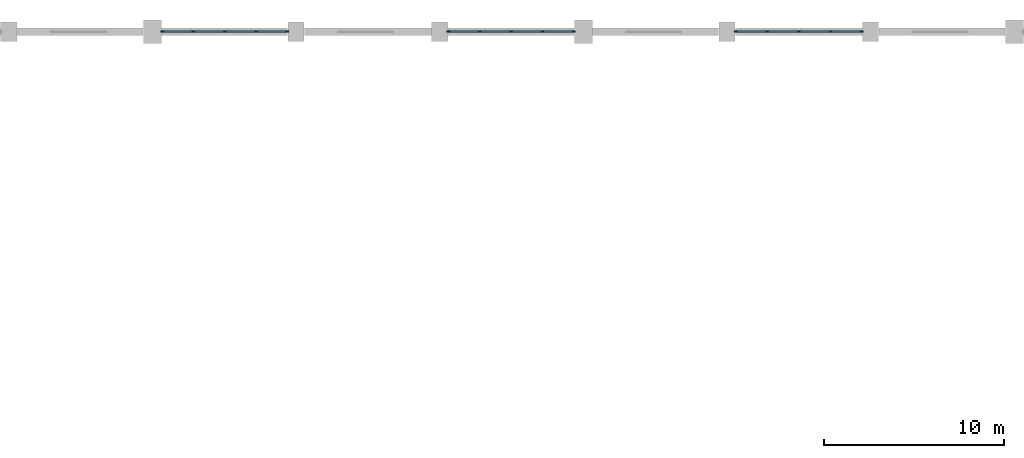
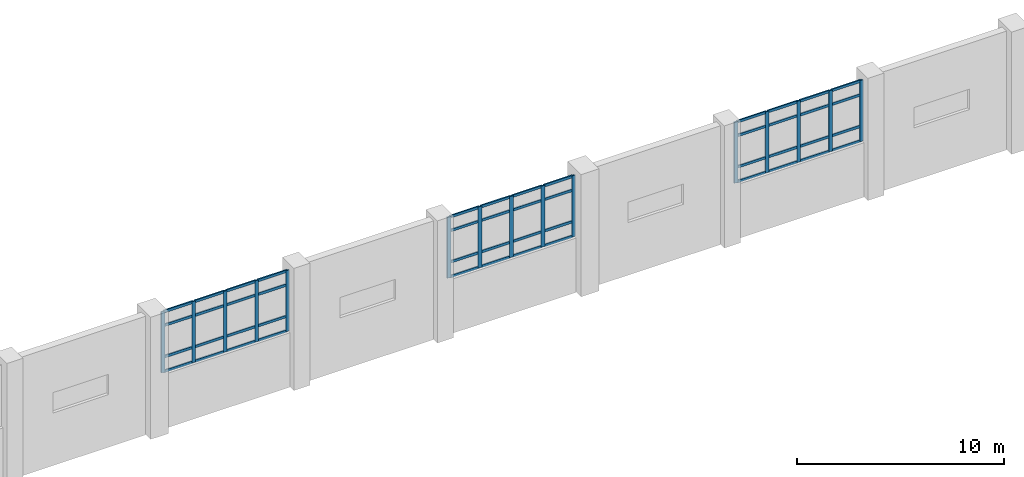
# One storey, part 35 of 84: 63 members, 3 elements without a shape of their own.
"""IFC4 building model written with IfcOpenShell, lengths in metres."""

from ifc_helpers import new_model, si_unit, direction, frame, origin, origin_2d, place, context, subcontext, project, spatial, rectangle, extrude, material, layer, layer_set, material_profile, profile_set, type_object, element, aggregate, save


model = new_model("IFC4")

# Units and contexts
model_context = context("Model", 3, precision=1e-05, world=origin(), true_north=direction((0.0, 1.0)))
body_context = subcontext(model_context, "Body", "Model", "MODEL_VIEW")
ifc_project = project(units=[si_unit("LENGTHUNIT", "METRE"), si_unit("AREAUNIT", "SQUARE_METRE"), si_unit("VOLUMEUNIT", "CUBIC_METRE"), si_unit("PLANEANGLEUNIT", "RADIAN"), si_unit("MASSUNIT", "GRAM", prefix="KILO")], contexts=[model_context])

# Site, building, storey
site_placement = place(None, origin())
site = spatial("IfcSite", under=ifc_project, at=site_placement, CompositionType="ELEMENT")
building_placement = place(site_placement, origin())
building = spatial("IfcBuilding", under=site, at=building_placement, Name="Tlacozan Convention Centre", CompositionType="ELEMENT")
storey_placement = place(building_placement, frame((0.0, 0.0, 6.0)))
storey = spatial("IfcBuildingStorey", under=building, at=storey_placement, Name="L01", CompositionType="ELEMENT", Elevation=6.0)

# Curtain wall, members
ifc_material = material(Name="Dark Bronze Anodised Aluminium", Category="aluminium")
ifc_layer = layer(ifc_material, 0.199951171875)
ifc_layer_set = layer_set([ifc_layer], Name="Dark Bronze Anodised Aluminium")
curtain_wall_type = type_object("IfcCurtainWallType", Name="Exhibition Clerestory Curtain Wall CW10", PredefinedType="NOTDEFINED", material=ifc_layer_set)
curtain_wall_1_placement = place(storey_placement, origin())
curtain_wall_1 = element("IfcCurtainWall", 1, at=curtain_wall_1_placement, inside=storey, type_object=curtain_wall_type, Name="L01 CW-10 Run 4", PredefinedType="NOTDEFINED")
ifc_material_profile_1 = material_profile(ifc_material, rectangle(XDim=0.074951171875, YDim=0.199951171875, at=origin_2d()), Name="ALU 75x200")
ifc_profile_set_1 = profile_set([ifc_material_profile_1], Name="Dark Bronze Anodised Aluminium")
member_type_1 = type_object("IfcMemberType", Name="Curtain Wall Heavy Mullion 75x200", PredefinedType="MULLION", material=ifc_profile_set_1)
member_1_placement = place(storey_placement, frame((48.552490234375, 126.0, 3.199951171875), z_axis=(0.0, 0.0, 1.0), x_axis=(0.0, 1.0, 0.0)))
member_1 = element("IfcMember", 2, at=member_1_placement, type_object=member_type_1, Name="CW-10 mullion 1", PredefinedType="MULLION", context=body_context, shape_type="SweptSolid", body=[
    extrude(rectangle(XDim=0.074951171875, YDim=0.199951171875, at=origin_2d()), origin(), (0.0, 0.0, 1.0), 3.60009765625),
])
member_2_placement = place(storey_placement, frame((50.27001953125, 126.0, 3.199951171875), z_axis=(0.0, 0.0, 1.0), x_axis=(0.0, 1.0, 0.0)))
member_2 = element("IfcMember", 3, at=member_2_placement, type_object=member_type_1, Name="CW-10 mullion 2", PredefinedType="MULLION", context=body_context, shape_type="SweptSolid", body=[
    extrude(rectangle(XDim=0.074951171875, YDim=0.199951171875, at=origin_2d()), origin(), (0.0, 0.0, 1.0), 3.60009765625),
])
member_3_placement = place(storey_placement, frame((52.02490234375, 126.0, 3.199951171875), z_axis=(0.0, 0.0, 1.0), x_axis=(0.0, 1.0, 0.0)))
member_3 = element("IfcMember", 4, at=member_3_placement, type_object=member_type_1, Name="CW-10 mullion 3", PredefinedType="MULLION", context=body_context, shape_type="SweptSolid", body=[
    extrude(rectangle(XDim=0.074951171875, YDim=0.199951171875, at=origin_2d()), origin(), (0.0, 0.0, 1.0), 3.60009765625),
])
member_4_placement = place(storey_placement, frame((53.780029296875, 126.0, 3.199951171875), z_axis=(0.0, 0.0, 1.0), x_axis=(0.0, 1.0, 0.0)))
member_4 = element("IfcMember", 5, at=member_4_placement, type_object=member_type_1, Name="CW-10 mullion 4", PredefinedType="MULLION", context=body_context, shape_type="SweptSolid", body=[
    extrude(rectangle(XDim=0.074951171875, YDim=0.199951171875, at=origin_2d()), origin(), (0.0, 0.0, 1.0), 3.60009765625),
])
member_5_placement = place(storey_placement, frame((55.49755859375, 126.0, 3.199951171875), z_axis=(0.0, 0.0, 1.0), x_axis=(0.0, 1.0, 0.0)))
member_5 = element("IfcMember", 6, at=member_5_placement, type_object=member_type_1, Name="CW-10 mullion 5", PredefinedType="MULLION", context=body_context, shape_type="SweptSolid", body=[
    extrude(rectangle(XDim=0.074951171875, YDim=0.199951171875, at=origin_2d()), origin(), (0.0, 0.0, 1.0), 3.60009765625),
])

curtain_wall_2_placement = place(storey_placement, origin())
curtain_wall_2 = element("IfcCurtainWall", 7, at=curtain_wall_2_placement, inside=storey, type_object=curtain_wall_type, Name="L01 CW-10 Run 5", PredefinedType="NOTDEFINED")
member_6_placement = place(storey_placement, frame((64.50244140625, 126.0, 3.199951171875), z_axis=(0.0, 0.0, 1.0), x_axis=(0.0, 1.0, 0.0)))
member_6 = element("IfcMember", 8, at=member_6_placement, type_object=member_type_1, Name="CW-10 mullion 1", PredefinedType="MULLION", context=body_context, shape_type="SweptSolid", body=[
    extrude(rectangle(XDim=0.074951171875, YDim=0.199951171875, at=origin_2d()), origin(), (0.0, 0.0, 1.0), 3.60009765625),
])
member_7_placement = place(storey_placement, frame((66.219970703125, 126.0, 3.199951171875), z_axis=(0.0, 0.0, 1.0), x_axis=(0.0, 1.0, 0.0)))
member_7 = element("IfcMember", 9, at=member_7_placement, type_object=member_type_1, Name="CW-10 mullion 2", PredefinedType="MULLION", context=body_context, shape_type="SweptSolid", body=[
    extrude(rectangle(XDim=0.074951171875, YDim=0.199951171875, at=origin_2d()), origin(), (0.0, 0.0, 1.0), 3.60009765625),
])
member_8_placement = place(storey_placement, frame((67.97509765625, 126.0, 3.199951171875), z_axis=(0.0, 0.0, 1.0), x_axis=(0.0, 1.0, 0.0)))
member_8 = element("IfcMember", 10, at=member_8_placement, type_object=member_type_1, Name="CW-10 mullion 3", PredefinedType="MULLION", context=body_context, shape_type="SweptSolid", body=[
    extrude(rectangle(XDim=0.074951171875, YDim=0.199951171875, at=origin_2d()), origin(), (0.0, 0.0, 1.0), 3.60009765625),
])
member_9_placement = place(storey_placement, frame((69.72998046875, 126.0, 3.199951171875), z_axis=(0.0, 0.0, 1.0), x_axis=(0.0, 1.0, 0.0)))
member_9 = element("IfcMember", 11, at=member_9_placement, type_object=member_type_1, Name="CW-10 mullion 4", PredefinedType="MULLION", context=body_context, shape_type="SweptSolid", body=[
    extrude(rectangle(XDim=0.074951171875, YDim=0.199951171875, at=origin_2d()), origin(), (0.0, 0.0, 1.0), 3.60009765625),
])
member_10_placement = place(storey_placement, frame((71.447509765625, 126.0, 3.199951171875), z_axis=(0.0, 0.0, 1.0), x_axis=(0.0, 1.0, 0.0)))
member_10 = element("IfcMember", 12, at=member_10_placement, type_object=member_type_1, Name="CW-10 mullion 5", PredefinedType="MULLION", context=body_context, shape_type="SweptSolid", body=[
    extrude(rectangle(XDim=0.074951171875, YDim=0.199951171875, at=origin_2d()), origin(), (0.0, 0.0, 1.0), 3.60009765625),
])

curtain_wall_3_placement = place(storey_placement, origin())
curtain_wall_3 = element("IfcCurtainWall", 13, at=curtain_wall_3_placement, inside=storey, type_object=curtain_wall_type, Name="L01 CW-10 Run 6", PredefinedType="NOTDEFINED")
member_11_placement = place(storey_placement, frame((80.50244140625, 126.0, 3.199951171875), z_axis=(0.0, 0.0, 1.0), x_axis=(0.0, 1.0, 0.0)))
member_11 = element("IfcMember", 14, at=member_11_placement, type_object=member_type_1, Name="CW-10 mullion 1", PredefinedType="MULLION", context=body_context, shape_type="SweptSolid", body=[
    extrude(rectangle(XDim=0.074951171875, YDim=0.199951171875, at=origin_2d()), origin(), (0.0, 0.0, 1.0), 3.60009765625),
])
member_12_placement = place(storey_placement, frame((82.232421875, 126.0, 3.199951171875), z_axis=(0.0, 0.0, 1.0), x_axis=(0.0, 1.0, 0.0)))
member_12 = element("IfcMember", 15, at=member_12_placement, type_object=member_type_1, Name="CW-10 mullion 2", PredefinedType="MULLION", context=body_context, shape_type="SweptSolid", body=[
    extrude(rectangle(XDim=0.074951171875, YDim=0.199951171875, at=origin_2d()), origin(), (0.0, 0.0, 1.0), 3.60009765625),
])
member_13_placement = place(storey_placement, frame((84.0, 126.0, 3.199951171875), z_axis=(0.0, 0.0, 1.0), x_axis=(0.0, 1.0, 0.0)))
member_13 = element("IfcMember", 16, at=member_13_placement, type_object=member_type_1, Name="CW-10 mullion 3", PredefinedType="MULLION", context=body_context, shape_type="SweptSolid", body=[
    extrude(rectangle(XDim=0.074951171875, YDim=0.199951171875, at=origin_2d()), origin(), (0.0, 0.0, 1.0), 3.60009765625),
])
member_14_placement = place(storey_placement, frame((85.767578125, 126.0, 3.199951171875), z_axis=(0.0, 0.0, 1.0), x_axis=(0.0, 1.0, 0.0)))
member_14 = element("IfcMember", 17, at=member_14_placement, type_object=member_type_1, Name="CW-10 mullion 4", PredefinedType="MULLION", context=body_context, shape_type="SweptSolid", body=[
    extrude(rectangle(XDim=0.074951171875, YDim=0.199951171875, at=origin_2d()), origin(), (0.0, 0.0, 1.0), 3.60009765625),
])
member_15_placement = place(storey_placement, frame((87.49755859375, 126.0, 3.199951171875), z_axis=(0.0, 0.0, 1.0), x_axis=(0.0, 1.0, 0.0)))
member_15 = element("IfcMember", 18, at=member_15_placement, type_object=member_type_1, Name="CW-10 mullion 5", PredefinedType="MULLION", context=body_context, shape_type="SweptSolid", body=[
    extrude(rectangle(XDim=0.074951171875, YDim=0.199951171875, at=origin_2d()), origin(), (0.0, 0.0, 1.0), 3.60009765625),
])

# Member
ifc_material_profile_2 = material_profile(ifc_material, rectangle(XDim=0.074951171875, YDim=0.14990234375, at=origin_2d()), Name="ALU 75x150")
ifc_profile_set_2 = profile_set([ifc_material_profile_2], Name="Dark Bronze Anodised Aluminium")
member_type_2 = type_object("IfcMemberType", Name="Curtain Wall Heavy Transom 75x150", PredefinedType="USERDEFINED", material=ifc_profile_set_2)
member_16_placement = place(storey_placement, frame((48.590087890625, 126.0, 3.237548828125), z_axis=(1.0, 0.0, 0.0), x_axis=(0.0, 1.0, 0.0)))
member_16 = element("IfcMember", 19, at=member_16_placement, type_object=member_type_2, Name="CW-10 transom 1.1", ObjectType="TRANSOM", PredefinedType="USERDEFINED", context=body_context, shape_type="SweptSolid", body=[
    extrude(rectangle(XDim=0.074951171875, YDim=0.14990234375, at=origin_2d()), origin(), (0.0, 0.0, 1.0), 1.642333984375),
])

member_17_placement = place(storey_placement, frame((48.590087890625, 126.0, 4.10009765625), z_axis=(1.0, 0.0, 0.0), x_axis=(0.0, 1.0, 0.0)))
member_17 = element("IfcMember", 20, at=member_17_placement, type_object=member_type_2, Name="CW-10 transom 1.2", ObjectType="TRANSOM", PredefinedType="USERDEFINED", context=body_context, shape_type="SweptSolid", body=[
    extrude(rectangle(XDim=0.074951171875, YDim=0.14990234375, at=origin_2d()), origin(), (0.0, 0.0, 1.0), 1.642333984375),
])

member_18_placement = place(storey_placement, frame((48.590087890625, 126.0, 5.949951171875), z_axis=(1.0, 0.0, 0.0), x_axis=(0.0, 1.0, 0.0)))
member_18 = element("IfcMember", 21, at=member_18_placement, type_object=member_type_2, Name="CW-10 transom 1.3", ObjectType="TRANSOM", PredefinedType="USERDEFINED", context=body_context, shape_type="SweptSolid", body=[
    extrude(rectangle(XDim=0.074951171875, YDim=0.14990234375, at=origin_2d()), origin(), (0.0, 0.0, 1.0), 1.642333984375),
])

member_19_placement = place(storey_placement, frame((48.590087890625, 126.0, 6.762451171875), z_axis=(1.0, 0.0, 0.0), x_axis=(0.0, 1.0, 0.0)))
member_19 = element("IfcMember", 22, at=member_19_placement, type_object=member_type_2, Name="CW-10 transom 1.4", ObjectType="TRANSOM", PredefinedType="USERDEFINED", context=body_context, shape_type="SweptSolid", body=[
    extrude(rectangle(XDim=0.074951171875, YDim=0.14990234375, at=origin_2d()), origin(), (0.0, 0.0, 1.0), 1.642333984375),
])

member_20_placement = place(storey_placement, frame((50.3076171875, 126.0, 3.237548828125), z_axis=(1.0, 0.0, 0.0), x_axis=(0.0, 1.0, 0.0)))
member_20 = element("IfcMember", 23, at=member_20_placement, type_object=member_type_2, Name="CW-10 transom 2.1", ObjectType="TRANSOM", PredefinedType="USERDEFINED", context=body_context, shape_type="SweptSolid", body=[
    extrude(rectangle(XDim=0.074951171875, YDim=0.14990234375, at=origin_2d()), origin(), (0.0, 0.0, 1.0), 1.679931640625),
])

member_21_placement = place(storey_placement, frame((50.3076171875, 126.0, 4.10009765625), z_axis=(1.0, 0.0, 0.0), x_axis=(0.0, 1.0, 0.0)))
member_21 = element("IfcMember", 24, at=member_21_placement, type_object=member_type_2, Name="CW-10 transom 2.2", ObjectType="TRANSOM", PredefinedType="USERDEFINED", context=body_context, shape_type="SweptSolid", body=[
    extrude(rectangle(XDim=0.074951171875, YDim=0.14990234375, at=origin_2d()), origin(), (0.0, 0.0, 1.0), 1.679931640625),
])

member_22_placement = place(storey_placement, frame((50.3076171875, 126.0, 5.949951171875), z_axis=(1.0, 0.0, 0.0), x_axis=(0.0, 1.0, 0.0)))
member_22 = element("IfcMember", 25, at=member_22_placement, type_object=member_type_2, Name="CW-10 transom 2.3", ObjectType="TRANSOM", PredefinedType="USERDEFINED", context=body_context, shape_type="SweptSolid", body=[
    extrude(rectangle(XDim=0.074951171875, YDim=0.14990234375, at=origin_2d()), origin(), (0.0, 0.0, 1.0), 1.679931640625),
])

member_23_placement = place(storey_placement, frame((50.3076171875, 126.0, 6.762451171875), z_axis=(1.0, 0.0, 0.0), x_axis=(0.0, 1.0, 0.0)))
member_23 = element("IfcMember", 26, at=member_23_placement, type_object=member_type_2, Name="CW-10 transom 2.4", ObjectType="TRANSOM", PredefinedType="USERDEFINED", context=body_context, shape_type="SweptSolid", body=[
    extrude(rectangle(XDim=0.074951171875, YDim=0.14990234375, at=origin_2d()), origin(), (0.0, 0.0, 1.0), 1.679931640625),
])

member_24_placement = place(storey_placement, frame((52.0625, 126.0, 3.237548828125), z_axis=(1.0, 0.0, 0.0), x_axis=(0.0, 1.0, 0.0)))
member_24 = element("IfcMember", 27, at=member_24_placement, type_object=member_type_2, Name="CW-10 transom 3.1", ObjectType="TRANSOM", PredefinedType="USERDEFINED", context=body_context, shape_type="SweptSolid", body=[
    extrude(rectangle(XDim=0.074951171875, YDim=0.14990234375, at=origin_2d()), origin(), (0.0, 0.0, 1.0), 1.679931640625),
])

member_25_placement = place(storey_placement, frame((52.0625, 126.0, 4.10009765625), z_axis=(1.0, 0.0, 0.0), x_axis=(0.0, 1.0, 0.0)))
member_25 = element("IfcMember", 28, at=member_25_placement, type_object=member_type_2, Name="CW-10 transom 3.2", ObjectType="TRANSOM", PredefinedType="USERDEFINED", context=body_context, shape_type="SweptSolid", body=[
    extrude(rectangle(XDim=0.074951171875, YDim=0.14990234375, at=origin_2d()), origin(), (0.0, 0.0, 1.0), 1.679931640625),
])

member_26_placement = place(storey_placement, frame((52.0625, 126.0, 5.949951171875), z_axis=(1.0, 0.0, 0.0), x_axis=(0.0, 1.0, 0.0)))
member_26 = element("IfcMember", 29, at=member_26_placement, type_object=member_type_2, Name="CW-10 transom 3.3", ObjectType="TRANSOM", PredefinedType="USERDEFINED", context=body_context, shape_type="SweptSolid", body=[
    extrude(rectangle(XDim=0.074951171875, YDim=0.14990234375, at=origin_2d()), origin(), (0.0, 0.0, 1.0), 1.679931640625),
])

member_27_placement = place(storey_placement, frame((52.0625, 126.0, 6.762451171875), z_axis=(1.0, 0.0, 0.0), x_axis=(0.0, 1.0, 0.0)))
member_27 = element("IfcMember", 30, at=member_27_placement, type_object=member_type_2, Name="CW-10 transom 3.4", ObjectType="TRANSOM", PredefinedType="USERDEFINED", context=body_context, shape_type="SweptSolid", body=[
    extrude(rectangle(XDim=0.074951171875, YDim=0.14990234375, at=origin_2d()), origin(), (0.0, 0.0, 1.0), 1.679931640625),
])

member_28_placement = place(storey_placement, frame((53.8173828125, 126.0, 3.237548828125), z_axis=(1.0, 0.0, 0.0), x_axis=(0.0, 1.0, 0.0)))
member_28 = element("IfcMember", 31, at=member_28_placement, type_object=member_type_2, Name="CW-10 transom 4.1", ObjectType="TRANSOM", PredefinedType="USERDEFINED", context=body_context, shape_type="SweptSolid", body=[
    extrude(rectangle(XDim=0.074951171875, YDim=0.14990234375, at=origin_2d()), origin(), (0.0, 0.0, 1.0), 1.642578125),
])

member_29_placement = place(storey_placement, frame((53.8173828125, 126.0, 4.10009765625), z_axis=(1.0, 0.0, 0.0), x_axis=(0.0, 1.0, 0.0)))
member_29 = element("IfcMember", 32, at=member_29_placement, type_object=member_type_2, Name="CW-10 transom 4.2", ObjectType="TRANSOM", PredefinedType="USERDEFINED", context=body_context, shape_type="SweptSolid", body=[
    extrude(rectangle(XDim=0.074951171875, YDim=0.14990234375, at=origin_2d()), origin(), (0.0, 0.0, 1.0), 1.642578125),
])

member_30_placement = place(storey_placement, frame((53.8173828125, 126.0, 5.949951171875), z_axis=(1.0, 0.0, 0.0), x_axis=(0.0, 1.0, 0.0)))
member_30 = element("IfcMember", 33, at=member_30_placement, type_object=member_type_2, Name="CW-10 transom 4.3", ObjectType="TRANSOM", PredefinedType="USERDEFINED", context=body_context, shape_type="SweptSolid", body=[
    extrude(rectangle(XDim=0.074951171875, YDim=0.14990234375, at=origin_2d()), origin(), (0.0, 0.0, 1.0), 1.642578125),
])

member_31_placement = place(storey_placement, frame((53.8173828125, 126.0, 6.762451171875), z_axis=(1.0, 0.0, 0.0), x_axis=(0.0, 1.0, 0.0)))
member_31 = element("IfcMember", 34, at=member_31_placement, type_object=member_type_2, Name="CW-10 transom 4.4", ObjectType="TRANSOM", PredefinedType="USERDEFINED", context=body_context, shape_type="SweptSolid", body=[
    extrude(rectangle(XDim=0.074951171875, YDim=0.14990234375, at=origin_2d()), origin(), (0.0, 0.0, 1.0), 1.642578125),
])

aggregate(curtain_wall_1, [member_1, member_2, member_3, member_4, member_5, member_16, member_17, member_18, member_19, member_20, member_21, member_22, member_23, member_24, member_25, member_26, member_27, member_28, member_29, member_30, member_31])

member_32_placement = place(storey_placement, frame((64.5400390625, 126.0, 3.237548828125), z_axis=(1.0, 0.0, 0.0), x_axis=(0.0, 1.0, 0.0)))
member_32 = element("IfcMember", 35, at=member_32_placement, type_object=member_type_2, Name="CW-10 transom 1.1", ObjectType="TRANSOM", PredefinedType="USERDEFINED", context=body_context, shape_type="SweptSolid", body=[
    extrude(rectangle(XDim=0.074951171875, YDim=0.14990234375, at=origin_2d()), origin(), (0.0, 0.0, 1.0), 1.642578125),
])

member_33_placement = place(storey_placement, frame((64.5400390625, 126.0, 4.10009765625), z_axis=(1.0, 0.0, 0.0), x_axis=(0.0, 1.0, 0.0)))
member_33 = element("IfcMember", 36, at=member_33_placement, type_object=member_type_2, Name="CW-10 transom 1.2", ObjectType="TRANSOM", PredefinedType="USERDEFINED", context=body_context, shape_type="SweptSolid", body=[
    extrude(rectangle(XDim=0.074951171875, YDim=0.14990234375, at=origin_2d()), origin(), (0.0, 0.0, 1.0), 1.642578125),
])

member_34_placement = place(storey_placement, frame((64.5400390625, 126.0, 5.949951171875), z_axis=(1.0, 0.0, 0.0), x_axis=(0.0, 1.0, 0.0)))
member_34 = element("IfcMember", 37, at=member_34_placement, type_object=member_type_2, Name="CW-10 transom 1.3", ObjectType="TRANSOM", PredefinedType="USERDEFINED", context=body_context, shape_type="SweptSolid", body=[
    extrude(rectangle(XDim=0.074951171875, YDim=0.14990234375, at=origin_2d()), origin(), (0.0, 0.0, 1.0), 1.642578125),
])

member_35_placement = place(storey_placement, frame((64.5400390625, 126.0, 6.762451171875), z_axis=(1.0, 0.0, 0.0), x_axis=(0.0, 1.0, 0.0)))
member_35 = element("IfcMember", 38, at=member_35_placement, type_object=member_type_2, Name="CW-10 transom 1.4", ObjectType="TRANSOM", PredefinedType="USERDEFINED", context=body_context, shape_type="SweptSolid", body=[
    extrude(rectangle(XDim=0.074951171875, YDim=0.14990234375, at=origin_2d()), origin(), (0.0, 0.0, 1.0), 1.642578125),
])

member_36_placement = place(storey_placement, frame((66.257568359375, 126.0, 3.237548828125), z_axis=(1.0, 0.0, 0.0), x_axis=(0.0, 1.0, 0.0)))
member_36 = element("IfcMember", 39, at=member_36_placement, type_object=member_type_2, Name="CW-10 transom 2.1", ObjectType="TRANSOM", PredefinedType="USERDEFINED", context=body_context, shape_type="SweptSolid", body=[
    extrude(rectangle(XDim=0.074951171875, YDim=0.14990234375, at=origin_2d()), origin(), (0.0, 0.0, 1.0), 1.679931640625),
])

member_37_placement = place(storey_placement, frame((66.257568359375, 126.0, 4.10009765625), z_axis=(1.0, 0.0, 0.0), x_axis=(0.0, 1.0, 0.0)))
member_37 = element("IfcMember", 40, at=member_37_placement, type_object=member_type_2, Name="CW-10 transom 2.2", ObjectType="TRANSOM", PredefinedType="USERDEFINED", context=body_context, shape_type="SweptSolid", body=[
    extrude(rectangle(XDim=0.074951171875, YDim=0.14990234375, at=origin_2d()), origin(), (0.0, 0.0, 1.0), 1.679931640625),
])

member_38_placement = place(storey_placement, frame((66.257568359375, 126.0, 5.949951171875), z_axis=(1.0, 0.0, 0.0), x_axis=(0.0, 1.0, 0.0)))
member_38 = element("IfcMember", 41, at=member_38_placement, type_object=member_type_2, Name="CW-10 transom 2.3", ObjectType="TRANSOM", PredefinedType="USERDEFINED", context=body_context, shape_type="SweptSolid", body=[
    extrude(rectangle(XDim=0.074951171875, YDim=0.14990234375, at=origin_2d()), origin(), (0.0, 0.0, 1.0), 1.679931640625),
])

member_39_placement = place(storey_placement, frame((66.257568359375, 126.0, 6.762451171875), z_axis=(1.0, 0.0, 0.0), x_axis=(0.0, 1.0, 0.0)))
member_39 = element("IfcMember", 42, at=member_39_placement, type_object=member_type_2, Name="CW-10 transom 2.4", ObjectType="TRANSOM", PredefinedType="USERDEFINED", context=body_context, shape_type="SweptSolid", body=[
    extrude(rectangle(XDim=0.074951171875, YDim=0.14990234375, at=origin_2d()), origin(), (0.0, 0.0, 1.0), 1.679931640625),
])

member_40_placement = place(storey_placement, frame((68.012451171875, 126.0, 3.237548828125), z_axis=(1.0, 0.0, 0.0), x_axis=(0.0, 1.0, 0.0)))
member_40 = element("IfcMember", 43, at=member_40_placement, type_object=member_type_2, Name="CW-10 transom 3.1", ObjectType="TRANSOM", PredefinedType="USERDEFINED", context=body_context, shape_type="SweptSolid", body=[
    extrude(rectangle(XDim=0.074951171875, YDim=0.14990234375, at=origin_2d()), origin(), (0.0, 0.0, 1.0), 1.679931640625),
])

member_41_placement = place(storey_placement, frame((68.012451171875, 126.0, 4.10009765625), z_axis=(1.0, 0.0, 0.0), x_axis=(0.0, 1.0, 0.0)))
member_41 = element("IfcMember", 44, at=member_41_placement, type_object=member_type_2, Name="CW-10 transom 3.2", ObjectType="TRANSOM", PredefinedType="USERDEFINED", context=body_context, shape_type="SweptSolid", body=[
    extrude(rectangle(XDim=0.074951171875, YDim=0.14990234375, at=origin_2d()), origin(), (0.0, 0.0, 1.0), 1.679931640625),
])

member_42_placement = place(storey_placement, frame((68.012451171875, 126.0, 5.949951171875), z_axis=(1.0, 0.0, 0.0), x_axis=(0.0, 1.0, 0.0)))
member_42 = element("IfcMember", 45, at=member_42_placement, type_object=member_type_2, Name="CW-10 transom 3.3", ObjectType="TRANSOM", PredefinedType="USERDEFINED", context=body_context, shape_type="SweptSolid", body=[
    extrude(rectangle(XDim=0.074951171875, YDim=0.14990234375, at=origin_2d()), origin(), (0.0, 0.0, 1.0), 1.679931640625),
])

member_43_placement = place(storey_placement, frame((68.012451171875, 126.0, 6.762451171875), z_axis=(1.0, 0.0, 0.0), x_axis=(0.0, 1.0, 0.0)))
member_43 = element("IfcMember", 46, at=member_43_placement, type_object=member_type_2, Name="CW-10 transom 3.4", ObjectType="TRANSOM", PredefinedType="USERDEFINED", context=body_context, shape_type="SweptSolid", body=[
    extrude(rectangle(XDim=0.074951171875, YDim=0.14990234375, at=origin_2d()), origin(), (0.0, 0.0, 1.0), 1.679931640625),
])

member_44_placement = place(storey_placement, frame((69.767578125, 126.0, 3.237548828125), z_axis=(1.0, 0.0, 0.0), x_axis=(0.0, 1.0, 0.0)))
member_44 = element("IfcMember", 47, at=member_44_placement, type_object=member_type_2, Name="CW-10 transom 4.1", ObjectType="TRANSOM", PredefinedType="USERDEFINED", context=body_context, shape_type="SweptSolid", body=[
    extrude(rectangle(XDim=0.074951171875, YDim=0.14990234375, at=origin_2d()), origin(), (0.0, 0.0, 1.0), 1.642333984375),
])

member_45_placement = place(storey_placement, frame((69.767578125, 126.0, 4.10009765625), z_axis=(1.0, 0.0, 0.0), x_axis=(0.0, 1.0, 0.0)))
member_45 = element("IfcMember", 48, at=member_45_placement, type_object=member_type_2, Name="CW-10 transom 4.2", ObjectType="TRANSOM", PredefinedType="USERDEFINED", context=body_context, shape_type="SweptSolid", body=[
    extrude(rectangle(XDim=0.074951171875, YDim=0.14990234375, at=origin_2d()), origin(), (0.0, 0.0, 1.0), 1.642333984375),
])

member_46_placement = place(storey_placement, frame((69.767578125, 126.0, 5.949951171875), z_axis=(1.0, 0.0, 0.0), x_axis=(0.0, 1.0, 0.0)))
member_46 = element("IfcMember", 49, at=member_46_placement, type_object=member_type_2, Name="CW-10 transom 4.3", ObjectType="TRANSOM", PredefinedType="USERDEFINED", context=body_context, shape_type="SweptSolid", body=[
    extrude(rectangle(XDim=0.074951171875, YDim=0.14990234375, at=origin_2d()), origin(), (0.0, 0.0, 1.0), 1.642333984375),
])

member_47_placement = place(storey_placement, frame((69.767578125, 126.0, 6.762451171875), z_axis=(1.0, 0.0, 0.0), x_axis=(0.0, 1.0, 0.0)))
member_47 = element("IfcMember", 50, at=member_47_placement, type_object=member_type_2, Name="CW-10 transom 4.4", ObjectType="TRANSOM", PredefinedType="USERDEFINED", context=body_context, shape_type="SweptSolid", body=[
    extrude(rectangle(XDim=0.074951171875, YDim=0.14990234375, at=origin_2d()), origin(), (0.0, 0.0, 1.0), 1.642333984375),
])

aggregate(curtain_wall_2, [member_6, member_7, member_8, member_9, member_10, member_32, member_33, member_34, member_35, member_36, member_37, member_38, member_39, member_40, member_41, member_42, member_43, member_44, member_45, member_46, member_47])

member_48_placement = place(storey_placement, frame((80.5400390625, 126.0, 3.237548828125), z_axis=(1.0, 0.0, 0.0), x_axis=(0.0, 1.0, 0.0)))
member_48 = element("IfcMember", 51, at=member_48_placement, type_object=member_type_2, Name="CW-10 transom 1.1", ObjectType="TRANSOM", PredefinedType="USERDEFINED", context=body_context, shape_type="SweptSolid", body=[
    extrude(rectangle(XDim=0.074951171875, YDim=0.14990234375, at=origin_2d()), origin(), (0.0, 0.0, 1.0), 1.655029296875),
])

member_49_placement = place(storey_placement, frame((80.5400390625, 126.0, 4.10009765625), z_axis=(1.0, 0.0, 0.0), x_axis=(0.0, 1.0, 0.0)))
member_49 = element("IfcMember", 52, at=member_49_placement, type_object=member_type_2, Name="CW-10 transom 1.2", ObjectType="TRANSOM", PredefinedType="USERDEFINED", context=body_context, shape_type="SweptSolid", body=[
    extrude(rectangle(XDim=0.074951171875, YDim=0.14990234375, at=origin_2d()), origin(), (0.0, 0.0, 1.0), 1.655029296875),
])

member_50_placement = place(storey_placement, frame((80.5400390625, 126.0, 5.949951171875), z_axis=(1.0, 0.0, 0.0), x_axis=(0.0, 1.0, 0.0)))
member_50 = element("IfcMember", 53, at=member_50_placement, type_object=member_type_2, Name="CW-10 transom 1.3", ObjectType="TRANSOM", PredefinedType="USERDEFINED", context=body_context, shape_type="SweptSolid", body=[
    extrude(rectangle(XDim=0.074951171875, YDim=0.14990234375, at=origin_2d()), origin(), (0.0, 0.0, 1.0), 1.655029296875),
])

member_51_placement = place(storey_placement, frame((80.5400390625, 126.0, 6.762451171875), z_axis=(1.0, 0.0, 0.0), x_axis=(0.0, 1.0, 0.0)))
member_51 = element("IfcMember", 54, at=member_51_placement, type_object=member_type_2, Name="CW-10 transom 1.4", ObjectType="TRANSOM", PredefinedType="USERDEFINED", context=body_context, shape_type="SweptSolid", body=[
    extrude(rectangle(XDim=0.074951171875, YDim=0.14990234375, at=origin_2d()), origin(), (0.0, 0.0, 1.0), 1.655029296875),
])

member_52_placement = place(storey_placement, frame((82.27001953125, 126.0, 3.237548828125), z_axis=(1.0, 0.0, 0.0), x_axis=(0.0, 1.0, 0.0)))
member_52 = element("IfcMember", 55, at=member_52_placement, type_object=member_type_2, Name="CW-10 transom 2.1", ObjectType="TRANSOM", PredefinedType="USERDEFINED", context=body_context, shape_type="SweptSolid", body=[
    extrude(rectangle(XDim=0.074951171875, YDim=0.14990234375, at=origin_2d()), origin(), (0.0, 0.0, 1.0), 1.6923828125),
])

member_53_placement = place(storey_placement, frame((82.27001953125, 126.0, 4.10009765625), z_axis=(1.0, 0.0, 0.0), x_axis=(0.0, 1.0, 0.0)))
member_53 = element("IfcMember", 56, at=member_53_placement, type_object=member_type_2, Name="CW-10 transom 2.2", ObjectType="TRANSOM", PredefinedType="USERDEFINED", context=body_context, shape_type="SweptSolid", body=[
    extrude(rectangle(XDim=0.074951171875, YDim=0.14990234375, at=origin_2d()), origin(), (0.0, 0.0, 1.0), 1.6923828125),
])

member_54_placement = place(storey_placement, frame((82.27001953125, 126.0, 5.949951171875), z_axis=(1.0, 0.0, 0.0), x_axis=(0.0, 1.0, 0.0)))
member_54 = element("IfcMember", 57, at=member_54_placement, type_object=member_type_2, Name="CW-10 transom 2.3", ObjectType="TRANSOM", PredefinedType="USERDEFINED", context=body_context, shape_type="SweptSolid", body=[
    extrude(rectangle(XDim=0.074951171875, YDim=0.14990234375, at=origin_2d()), origin(), (0.0, 0.0, 1.0), 1.6923828125),
])

member_55_placement = place(storey_placement, frame((82.27001953125, 126.0, 6.762451171875), z_axis=(1.0, 0.0, 0.0), x_axis=(0.0, 1.0, 0.0)))
member_55 = element("IfcMember", 58, at=member_55_placement, type_object=member_type_2, Name="CW-10 transom 2.4", ObjectType="TRANSOM", PredefinedType="USERDEFINED", context=body_context, shape_type="SweptSolid", body=[
    extrude(rectangle(XDim=0.074951171875, YDim=0.14990234375, at=origin_2d()), origin(), (0.0, 0.0, 1.0), 1.6923828125),
])

member_56_placement = place(storey_placement, frame((84.03759765625, 126.0, 3.237548828125), z_axis=(1.0, 0.0, 0.0), x_axis=(0.0, 1.0, 0.0)))
member_56 = element("IfcMember", 59, at=member_56_placement, type_object=member_type_2, Name="CW-10 transom 3.1", ObjectType="TRANSOM", PredefinedType="USERDEFINED", context=body_context, shape_type="SweptSolid", body=[
    extrude(rectangle(XDim=0.074951171875, YDim=0.14990234375, at=origin_2d()), origin(), (0.0, 0.0, 1.0), 1.6923828125),
])

member_57_placement = place(storey_placement, frame((84.03759765625, 126.0, 4.10009765625), z_axis=(1.0, 0.0, 0.0), x_axis=(0.0, 1.0, 0.0)))
member_57 = element("IfcMember", 60, at=member_57_placement, type_object=member_type_2, Name="CW-10 transom 3.2", ObjectType="TRANSOM", PredefinedType="USERDEFINED", context=body_context, shape_type="SweptSolid", body=[
    extrude(rectangle(XDim=0.074951171875, YDim=0.14990234375, at=origin_2d()), origin(), (0.0, 0.0, 1.0), 1.6923828125),
])

member_58_placement = place(storey_placement, frame((84.03759765625, 126.0, 5.949951171875), z_axis=(1.0, 0.0, 0.0), x_axis=(0.0, 1.0, 0.0)))
member_58 = element("IfcMember", 61, at=member_58_placement, type_object=member_type_2, Name="CW-10 transom 3.3", ObjectType="TRANSOM", PredefinedType="USERDEFINED", context=body_context, shape_type="SweptSolid", body=[
    extrude(rectangle(XDim=0.074951171875, YDim=0.14990234375, at=origin_2d()), origin(), (0.0, 0.0, 1.0), 1.6923828125),
])

member_59_placement = place(storey_placement, frame((84.03759765625, 126.0, 6.762451171875), z_axis=(1.0, 0.0, 0.0), x_axis=(0.0, 1.0, 0.0)))
member_59 = element("IfcMember", 62, at=member_59_placement, type_object=member_type_2, Name="CW-10 transom 3.4", ObjectType="TRANSOM", PredefinedType="USERDEFINED", context=body_context, shape_type="SweptSolid", body=[
    extrude(rectangle(XDim=0.074951171875, YDim=0.14990234375, at=origin_2d()), origin(), (0.0, 0.0, 1.0), 1.6923828125),
])

member_60_placement = place(storey_placement, frame((85.804931640625, 126.0, 3.237548828125), z_axis=(1.0, 0.0, 0.0), x_axis=(0.0, 1.0, 0.0)))
member_60 = element("IfcMember", 63, at=member_60_placement, type_object=member_type_2, Name="CW-10 transom 4.1", ObjectType="TRANSOM", PredefinedType="USERDEFINED", context=body_context, shape_type="SweptSolid", body=[
    extrude(rectangle(XDim=0.074951171875, YDim=0.14990234375, at=origin_2d()), origin(), (0.0, 0.0, 1.0), 1.655029296875),
])

member_61_placement = place(storey_placement, frame((85.804931640625, 126.0, 4.10009765625), z_axis=(1.0, 0.0, 0.0), x_axis=(0.0, 1.0, 0.0)))
member_61 = element("IfcMember", 64, at=member_61_placement, type_object=member_type_2, Name="CW-10 transom 4.2", ObjectType="TRANSOM", PredefinedType="USERDEFINED", context=body_context, shape_type="SweptSolid", body=[
    extrude(rectangle(XDim=0.074951171875, YDim=0.14990234375, at=origin_2d()), origin(), (0.0, 0.0, 1.0), 1.655029296875),
])

member_62_placement = place(storey_placement, frame((85.804931640625, 126.0, 5.949951171875), z_axis=(1.0, 0.0, 0.0), x_axis=(0.0, 1.0, 0.0)))
member_62 = element("IfcMember", 65, at=member_62_placement, type_object=member_type_2, Name="CW-10 transom 4.3", ObjectType="TRANSOM", PredefinedType="USERDEFINED", context=body_context, shape_type="SweptSolid", body=[
    extrude(rectangle(XDim=0.074951171875, YDim=0.14990234375, at=origin_2d()), origin(), (0.0, 0.0, 1.0), 1.655029296875),
])

member_63_placement = place(storey_placement, frame((85.804931640625, 126.0, 6.762451171875), z_axis=(1.0, 0.0, 0.0), x_axis=(0.0, 1.0, 0.0)))
member_63 = element("IfcMember", 66, at=member_63_placement, type_object=member_type_2, Name="CW-10 transom 4.4", ObjectType="TRANSOM", PredefinedType="USERDEFINED", context=body_context, shape_type="SweptSolid", body=[
    extrude(rectangle(XDim=0.074951171875, YDim=0.14990234375, at=origin_2d()), origin(), (0.0, 0.0, 1.0), 1.655029296875),
])

aggregate(curtain_wall_3, [member_11, member_12, member_13, member_14, member_15, member_48, member_49, member_50, member_51, member_52, member_53, member_54, member_55, member_56, member_57, member_58, member_59, member_60, member_61, member_62, member_63])

save(model, "model.ifc")
